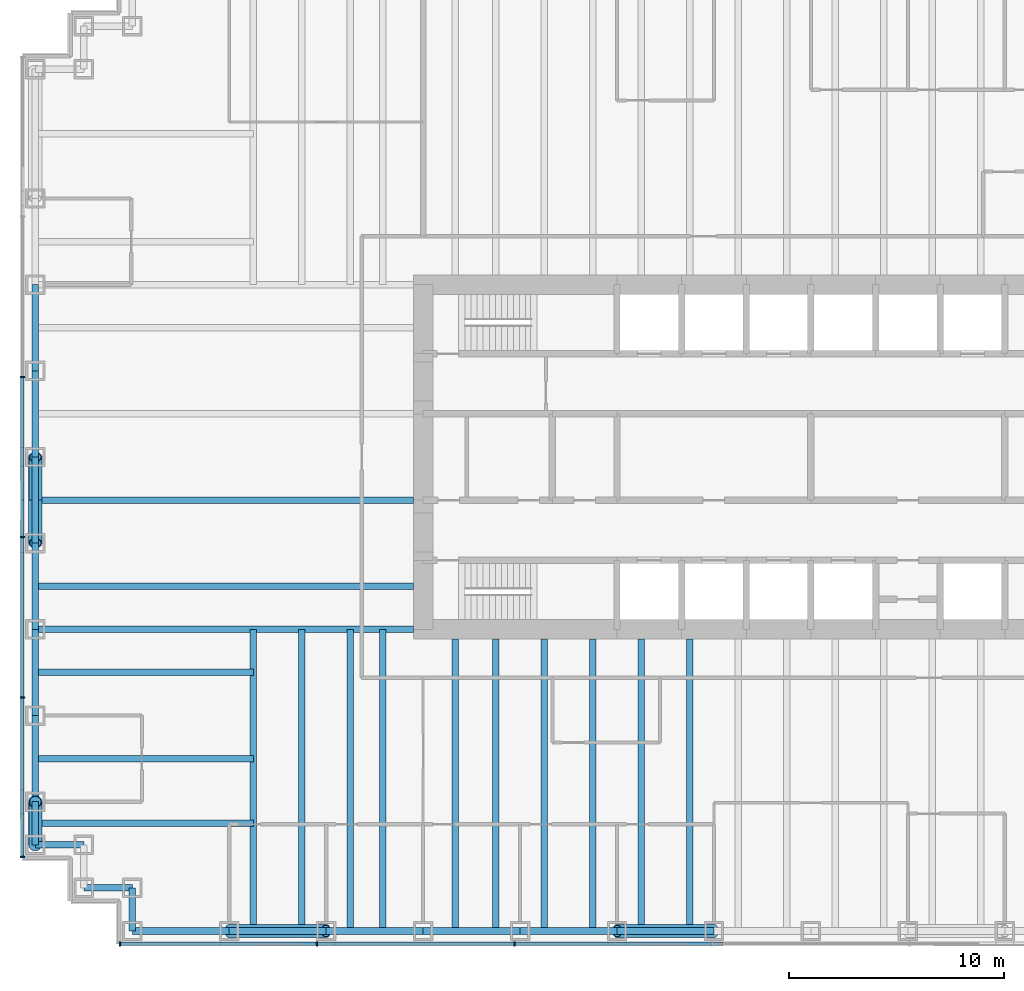
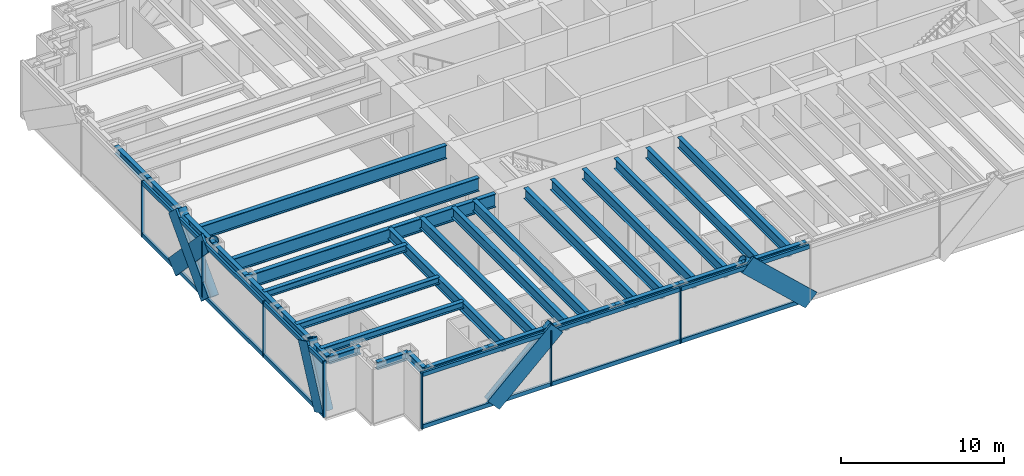
# One storey, part 2 of 17: 32 beams, 29 members, 2 elements without a shape of their own.
"""IFC4 building model written with IfcOpenShell, lengths in metres."""

from ifc_helpers import new_model, si_unit, direction, frame, origin, origin_2d, place, context, subcontext, project, spatial, rectangle, hollow_circle, i_section, extrude, material, material_profile, profile_set, type_object, element, aggregate, save


model = new_model("IFC4")

# Units and contexts
model_context = context("Model", 3, precision=1e-05, world=origin(), true_north=direction((0.0, 1.0)))
body_context = subcontext(model_context, "Body", "Model", "MODEL_VIEW")
ifc_project = project(units=[si_unit("LENGTHUNIT", "METRE"), si_unit("AREAUNIT", "SQUARE_METRE"), si_unit("VOLUMEUNIT", "CUBIC_METRE"), si_unit("PLANEANGLEUNIT", "RADIAN"), si_unit("MASSUNIT", "GRAM", prefix="KILO")], contexts=[model_context])

# Site, building, storey
site_placement = place(None, origin())
site = spatial("IfcSite", under=ifc_project, at=site_placement, CompositionType="ELEMENT")
building_placement = place(site_placement, origin())
building = spatial("IfcBuilding", under=site, at=building_placement, Name="Rheinbord Bourse Tower", CompositionType="ELEMENT")
storey_placement = place(building_placement, frame((0.0, 0.0, 159.300048828125)))
storey = spatial("IfcBuildingStorey", under=building, at=storey_placement, Name="L35", CompositionType="ELEMENT", Elevation=159.300048828125)

# Curtain wall, members
ifc_material_1 = material(Name="Dark glass and black aluminium", Category="aluminium")
curtain_wall_type = type_object("IfcCurtainWallType", Name="CW2 DARK GLASS CURTAIN WALL", PredefinedType="USERDEFINED", material=ifc_material_1)
curtain_wall_1_placement = place(storey_placement, origin())
curtain_wall_1 = element("IfcCurtainWall", 1, at=curtain_wall_1_placement, inside=storey, type_object=curtain_wall_type, Name="Curtain wall CW2 S L35", ObjectType="UNITISED CURTAIN WALL", PredefinedType="USERDEFINED")
ifc_material_2 = material(Name="Black anodised aluminium", Category="aluminium")
ifc_material_profile_1 = material_profile(ifc_material_2, rectangle(XDim=0.159912109375, YDim=1.2099609375, at=origin_2d()), Name="CW2 DIAGONAL MULLION 1210x160")
ifc_profile_set_1 = profile_set([ifc_material_profile_1], Name="Black anodised aluminium")
member_type_1 = type_object("IfcMemberType", Name="CW2 BLACK DIAGONAL MULLION", PredefinedType="USERDEFINED", material=ifc_profile_set_1)
member_1_placement = place(storey_placement, frame((31.5, 1.39990234375, 0.0), z_axis=(-0.73105922506, 0.0, 0.682314010889), x_axis=(0.0, -1.0, 0.0)))
member_1 = element("IfcMember", 2, at=member_1_placement, type_object=member_type_1, Name="CW2 diagonal mullion b", ObjectType="DIAGONAL MULLION", PredefinedType="USERDEFINED", context=body_context, shape_type="SweptSolid", body=[
    extrude(rectangle(XDim=0.159912109375, YDim=1.2099609375, at=origin_2d()), origin(), (0.0, 0.0, 1.0), 6.155517578125),
])
member_2_placement = place(storey_placement, frame((9.0, 1.39990234375, 0.0), z_axis=(0.73105922506, 0.0, 0.682314010889), x_axis=(0.0, 1.0, 0.0)))
member_2 = element("IfcMember", 3, at=member_2_placement, type_object=member_type_1, Name="CW2 diagonal mullion d", ObjectType="DIAGONAL MULLION", PredefinedType="USERDEFINED", context=body_context, shape_type="SweptSolid", body=[
    extrude(rectangle(XDim=0.159912109375, YDim=1.2099609375, at=origin_2d()), origin(), (0.0, 0.0, 1.0), 6.155517578125),
])

curtain_wall_2_placement = place(storey_placement, origin())
curtain_wall_2 = element("IfcCurtainWall", 4, at=curtain_wall_2_placement, inside=storey, type_object=curtain_wall_type, Name="Curtain wall CW2 W L35", ObjectType="UNITISED CURTAIN WALL", PredefinedType="USERDEFINED")
member_3_placement = place(storey_placement, frame((-0.60009765625, 6.0, 0.0), z_axis=(0.0, 0.429937654825, 0.902858578607), x_axis=(-1.0, 0.0, 0.0)))
member_3 = element("IfcMember", 5, at=member_3_placement, type_object=member_type_1, Name="CW2 diagonal mullion a", ObjectType="DIAGONAL MULLION", PredefinedType="USERDEFINED", context=body_context, shape_type="SweptSolid", body=[
    extrude(rectangle(XDim=0.159912109375, YDim=1.2099609375, at=origin_2d()), origin(), (0.0, 0.0, 1.0), 4.65185546875),
])
member_4_placement = place(storey_placement, frame((-0.60009765625, 20.0, 0.0), z_axis=(0.0, 0.689659376744, 0.724133926887), x_axis=(-1.0, 0.0, 0.0)))
member_4 = element("IfcMember", 6, at=member_4_placement, type_object=member_type_1, Name="CW2 diagonal mullion c", ObjectType="DIAGONAL MULLION", PredefinedType="USERDEFINED", context=body_context, shape_type="SweptSolid", body=[
    extrude(rectangle(XDim=0.159912109375, YDim=1.2099609375, at=origin_2d()), origin(), (0.0, 0.0, 1.0), 5.800048828125),
])
member_5_placement = place(storey_placement, frame((-0.60009765625, 24.0, 0.0), z_axis=(0.0, -0.689659376744, 0.724133926887), x_axis=(1.0, 0.0, 0.0)))
member_5 = element("IfcMember", 7, at=member_5_placement, type_object=member_type_1, Name="CW2 diagonal mullion d", ObjectType="DIAGONAL MULLION", PredefinedType="USERDEFINED", context=body_context, shape_type="SweptSolid", body=[
    extrude(rectangle(XDim=0.159912109375, YDim=1.2099609375, at=origin_2d()), origin(), (0.0, 0.0, 1.0), 5.800048828125),
])

# Member
ifc_material_3 = material(Name="Black anodised aluminium", Category="aluminium")
ifc_material_profile_2 = material_profile(ifc_material_3, rectangle(XDim=0.219970703125, YDim=0.070068359375, at=origin_2d()), Name="CW2 MULLION 70x220")
ifc_profile_set_2 = profile_set([ifc_material_profile_2], Name="Black anodised aluminium")
member_type_2 = type_object("IfcMemberType", Name="CW2 BLACK MULLION", PredefinedType="MULLION", material=ifc_profile_set_2)
member_6_placement = place(storey_placement, frame((3.93505859375, 1.39990234375, 0.0), z_axis=(0.0, 0.0, 1.0), x_axis=(0.0, 1.0, 0.0)))
member_6 = element("IfcMember", 8, at=member_6_placement, type_object=member_type_2, Name="CW2 mullion 1", PredefinedType="MULLION", context=body_context, shape_type="SweptSolid", body=[
    extrude(rectangle(XDim=0.219970703125, YDim=0.070068359375, at=origin_2d()), origin(), (0.0, 0.0, 1.0), 4.199951171875),
])

member_7_placement = place(storey_placement, frame((13.071533203125, 1.39990234375, 0.0), z_axis=(0.0, 0.0, 1.0), x_axis=(0.0, 1.0, 0.0)))
member_7 = element("IfcMember", 9, at=member_7_placement, type_object=member_type_2, Name="CW2 mullion 2", PredefinedType="MULLION", context=body_context, shape_type="SweptSolid", body=[
    extrude(rectangle(XDim=0.219970703125, YDim=0.070068359375, at=origin_2d()), origin(), (0.0, 0.0, 1.0), 4.199951171875),
])

member_8_placement = place(storey_placement, frame((22.242919921875, 1.39990234375, 0.0), z_axis=(0.0, 0.0, 1.0), x_axis=(0.0, 1.0, 0.0)))
member_8 = element("IfcMember", 10, at=member_8_placement, type_object=member_type_2, Name="CW2 mullion 3", PredefinedType="MULLION", context=body_context, shape_type="SweptSolid", body=[
    extrude(rectangle(XDim=0.219970703125, YDim=0.070068359375, at=origin_2d()), origin(), (0.0, 0.0, 1.0), 4.199951171875),
])

member_9_placement = place(storey_placement, frame((-0.60009765625, 27.719970703125, 0.0), z_axis=(0.0, 0.0, 1.0), x_axis=(1.0, 0.0, 0.0)))
member_9 = element("IfcMember", 11, at=member_9_placement, type_object=member_type_2, Name="CW2 mullion 3", PredefinedType="MULLION", context=body_context, shape_type="SweptSolid", body=[
    extrude(rectangle(XDim=0.219970703125, YDim=0.070068359375, at=origin_2d()), origin(), (0.0, 0.0, 1.0), 4.199951171875),
])

member_10_placement = place(storey_placement, frame((-0.60009765625, 20.280029296875, 0.0), z_axis=(0.0, 0.0, 1.0), x_axis=(1.0, 0.0, 0.0)))
member_10 = element("IfcMember", 12, at=member_10_placement, type_object=member_type_2, Name="CW2 mullion 4", PredefinedType="MULLION", context=body_context, shape_type="SweptSolid", body=[
    extrude(rectangle(XDim=0.219970703125, YDim=0.070068359375, at=origin_2d()), origin(), (0.0, 0.0, 1.0), 4.199951171875),
])

member_11_placement = place(storey_placement, frame((-0.60009765625, 12.840087890625, 0.0), z_axis=(0.0, 0.0, 1.0), x_axis=(1.0, 0.0, 0.0)))
member_11 = element("IfcMember", 13, at=member_11_placement, type_object=member_type_2, Name="CW2 mullion 5", PredefinedType="MULLION", context=body_context, shape_type="SweptSolid", body=[
    extrude(rectangle(XDim=0.219970703125, YDim=0.070068359375, at=origin_2d()), origin(), (0.0, 0.0, 1.0), 4.199951171875),
])

member_12_placement = place(storey_placement, frame((-0.60009765625, 5.43505859375, 0.0), z_axis=(0.0, 0.0, 1.0), x_axis=(1.0, 0.0, 0.0)))
member_12 = element("IfcMember", 14, at=member_12_placement, type_object=member_type_2, Name="CW2 mullion 6", PredefinedType="MULLION", context=body_context, shape_type="SweptSolid", body=[
    extrude(rectangle(XDim=0.219970703125, YDim=0.070068359375, at=origin_2d()), origin(), (0.0, 0.0, 1.0), 4.199951171875),
])

ifc_material_4 = material(Name="Black anodised aluminium", Category="aluminium")
ifc_material_profile_3 = material_profile(ifc_material_4, rectangle(XDim=0.159912109375, YDim=0.300048828125, at=origin_2d()), Name="CW2 TRANSOM 300x160")
ifc_profile_set_3 = profile_set([ifc_material_profile_3], Name="Black anodised aluminium")
member_type_3 = type_object("IfcMemberType", Name="CW2 BLACK TRANSOM", PredefinedType="USERDEFINED", material=ifc_profile_set_3)
member_13_placement = place(storey_placement, frame((3.969970703125, 1.39990234375, 0.14990234375), z_axis=(1.0, 0.0, 0.0), x_axis=(0.0, 1.0, 0.0)))
member_13 = element("IfcMember", 15, at=member_13_placement, type_object=member_type_3, Name="CW2 transom 1.1", ObjectType="TRANSOM", PredefinedType="USERDEFINED", context=body_context, shape_type="SweptSolid", body=[
    extrude(rectangle(XDim=0.159912109375, YDim=0.300048828125, at=origin_2d()), origin(), (0.0, 0.0, 1.0), 9.06640625),
])

member_14_placement = place(storey_placement, frame((3.969970703125, 1.39990234375, 4.050048828125), z_axis=(1.0, 0.0, 0.0), x_axis=(0.0, 1.0, 0.0)))
member_14 = element("IfcMember", 16, at=member_14_placement, type_object=member_type_3, Name="CW2 transom 1.2", ObjectType="TRANSOM", PredefinedType="USERDEFINED", context=body_context, shape_type="SweptSolid", body=[
    extrude(rectangle(XDim=0.159912109375, YDim=0.300048828125, at=origin_2d()), origin(), (0.0, 0.0, 1.0), 9.06640625),
])

member_15_placement = place(storey_placement, frame((13.1064453125, 1.39990234375, 0.14990234375), z_axis=(1.0, 0.0, 0.0), x_axis=(0.0, 1.0, 0.0)))
member_15 = element("IfcMember", 17, at=member_15_placement, type_object=member_type_3, Name="CW2 transom 2.1", ObjectType="TRANSOM", PredefinedType="USERDEFINED", context=body_context, shape_type="SweptSolid", body=[
    extrude(rectangle(XDim=0.159912109375, YDim=0.300048828125, at=origin_2d()), origin(), (0.0, 0.0, 1.0), 9.101318359375),
])

member_16_placement = place(storey_placement, frame((13.1064453125, 1.39990234375, 4.050048828125), z_axis=(1.0, 0.0, 0.0), x_axis=(0.0, 1.0, 0.0)))
member_16 = element("IfcMember", 18, at=member_16_placement, type_object=member_type_3, Name="CW2 transom 2.2", ObjectType="TRANSOM", PredefinedType="USERDEFINED", context=body_context, shape_type="SweptSolid", body=[
    extrude(rectangle(XDim=0.159912109375, YDim=0.300048828125, at=origin_2d()), origin(), (0.0, 0.0, 1.0), 9.101318359375),
])

member_17_placement = place(storey_placement, frame((22.27783203125, 1.39990234375, 0.14990234375), z_axis=(1.0, 0.0, 0.0), x_axis=(0.0, 1.0, 0.0)))
member_17 = element("IfcMember", 19, at=member_17_placement, type_object=member_type_3, Name="CW2 transom 3.1", ObjectType="TRANSOM", PredefinedType="USERDEFINED", context=body_context, shape_type="SweptSolid", body=[
    extrude(rectangle(XDim=0.159912109375, YDim=0.300048828125, at=origin_2d()), origin(), (0.0, 0.0, 1.0), 9.1015625),
])

member_18_placement = place(storey_placement, frame((22.27783203125, 1.39990234375, 4.050048828125), z_axis=(1.0, 0.0, 0.0), x_axis=(0.0, 1.0, 0.0)))
member_18 = element("IfcMember", 20, at=member_18_placement, type_object=member_type_3, Name="CW2 transom 3.2", ObjectType="TRANSOM", PredefinedType="USERDEFINED", context=body_context, shape_type="SweptSolid", body=[
    extrude(rectangle(XDim=0.159912109375, YDim=0.300048828125, at=origin_2d()), origin(), (0.0, 0.0, 1.0), 9.1015625),
])

aggregate(curtain_wall_1, [member_6, member_7, member_8, member_13, member_14, member_15, member_16, member_17, member_18, member_1, member_2])

member_19_placement = place(storey_placement, frame((-0.60009765625, 27.68505859375, 0.14990234375), z_axis=(0.0, -1.0, 0.0), x_axis=(1.0, 0.0, 0.0)))
member_19 = element("IfcMember", 21, at=member_19_placement, type_object=member_type_3, Name="CW2 transom 3.1", ObjectType="TRANSOM", PredefinedType="USERDEFINED", context=body_context, shape_type="SweptSolid", body=[
    extrude(rectangle(XDim=0.159912109375, YDim=0.300048828125, at=origin_2d()), origin(), (0.0, 0.0, 1.0), 7.3701171875),
])

member_20_placement = place(storey_placement, frame((-0.60009765625, 27.68505859375, 4.050048828125), z_axis=(0.0, -1.0, 0.0), x_axis=(1.0, 0.0, 0.0)))
member_20 = element("IfcMember", 22, at=member_20_placement, type_object=member_type_3, Name="CW2 transom 3.2", ObjectType="TRANSOM", PredefinedType="USERDEFINED", context=body_context, shape_type="SweptSolid", body=[
    extrude(rectangle(XDim=0.159912109375, YDim=0.300048828125, at=origin_2d()), origin(), (0.0, 0.0, 1.0), 7.3701171875),
])

member_21_placement = place(storey_placement, frame((-0.60009765625, 20.2451171875, 0.14990234375), z_axis=(0.0, -1.0, 0.0), x_axis=(1.0, 0.0, 0.0)))
member_21 = element("IfcMember", 23, at=member_21_placement, type_object=member_type_3, Name="CW2 transom 4.1", ObjectType="TRANSOM", PredefinedType="USERDEFINED", context=body_context, shape_type="SweptSolid", body=[
    extrude(rectangle(XDim=0.159912109375, YDim=0.300048828125, at=origin_2d()), origin(), (0.0, 0.0, 1.0), 7.3701171875),
])

member_22_placement = place(storey_placement, frame((-0.60009765625, 20.2451171875, 4.050048828125), z_axis=(0.0, -1.0, 0.0), x_axis=(1.0, 0.0, 0.0)))
member_22 = element("IfcMember", 24, at=member_22_placement, type_object=member_type_3, Name="CW2 transom 4.2", ObjectType="TRANSOM", PredefinedType="USERDEFINED", context=body_context, shape_type="SweptSolid", body=[
    extrude(rectangle(XDim=0.159912109375, YDim=0.300048828125, at=origin_2d()), origin(), (0.0, 0.0, 1.0), 7.3701171875),
])

member_23_placement = place(storey_placement, frame((-0.60009765625, 12.804931640625, 0.14990234375), z_axis=(0.0, -1.0, 0.0), x_axis=(1.0, 0.0, 0.0)))
member_23 = element("IfcMember", 25, at=member_23_placement, type_object=member_type_3, Name="CW2 transom 5.1", ObjectType="TRANSOM", PredefinedType="USERDEFINED", context=body_context, shape_type="SweptSolid", body=[
    extrude(rectangle(XDim=0.159912109375, YDim=0.300048828125, at=origin_2d()), origin(), (0.0, 0.0, 1.0), 7.3349609375),
])

member_24_placement = place(storey_placement, frame((-0.60009765625, 12.804931640625, 4.050048828125), z_axis=(0.0, -1.0, 0.0), x_axis=(1.0, 0.0, 0.0)))
member_24 = element("IfcMember", 26, at=member_24_placement, type_object=member_type_3, Name="CW2 transom 5.2", ObjectType="TRANSOM", PredefinedType="USERDEFINED", context=body_context, shape_type="SweptSolid", body=[
    extrude(rectangle(XDim=0.159912109375, YDim=0.300048828125, at=origin_2d()), origin(), (0.0, 0.0, 1.0), 7.3349609375),
])

aggregate(curtain_wall_2, [member_9, member_10, member_11, member_12, member_19, member_20, member_21, member_22, member_23, member_24, member_3, member_4, member_5])

# Beams
ifc_material_5 = material(Name="Steel S460", Category="steel")
ifc_material_profile_4 = material_profile(ifc_material_5, i_section(OverallWidth=0.302001953125, OverallDepth=1.008056640625, WebThickness=0.02099609375, FlangeThickness=0.0400390625, at=origin_2d()), Name="HEM 1000")
ifc_profile_set_4 = profile_set([ifc_material_profile_4], Name="Steel S460")
beam_type_1 = type_object("IfcBeamType", Name="END BEAM HEM 1000", PredefinedType="BEAM", material=ifc_profile_set_4)
for number, where, z_axis, x_axis, name in (
    (27, (0.0, 18.0, 3.535888671875), (1.0, 0.0, 0.0), (0.0, 1.0, 0.0), "End beam west 18 L36"),
    (28, (0.0, 22.0, 3.535888671875), (1.0, 0.0, 0.0), (0.0, 1.0, 0.0), "End beam west 22 L36"),
):
    element("IfcBeam", number, at=place(storey_placement, frame(where, z_axis=z_axis, x_axis=x_axis)), inside=storey, type_object=beam_type_1, Name=name, PredefinedType="BEAM", context=body_context, shape_type="SweptSolid", body=[
        extrude(i_section(OverallWidth=0.302001953125, OverallDepth=1.008056640625, WebThickness=0.02099609375, FlangeThickness=0.0400390625, at=origin_2d()), origin(), (0.0, 0.0, 1.0), 17.550048828125),
    ])
ifc_material_6 = material(Name="Steel S460", Category="steel")
ifc_material_profile_5 = material_profile(ifc_material_6, i_section(OverallWidth=0.300048828125, OverallDepth=0.800048828125, WebThickness=0.017578125, FlangeThickness=0.032958984375, at=origin_2d()), Name="HEB 800")
ifc_profile_set_5 = profile_set([ifc_material_profile_5], Name="Steel S460")
beam_type_2 = type_object("IfcBeamType", Name="FLOOR BEAM HEB 800", PredefinedType="BEAM", material=ifc_profile_set_5)
for number, where, z_axis, x_axis, name in (
    (29, (10.125, 2.0, 3.639892578125), (0.0, 1.0, 0.0), (-1.0, 0.0, 0.0), "Floor beam S-9a L36"),
    (30, (12.375, 2.0, 3.639892578125), (0.0, 1.0, 0.0), (-1.0, 0.0, 0.0), "Floor beam S-9b L36"),
    (31, (14.625, 2.0, 3.639892578125), (0.0, 1.0, 0.0), (-1.0, 0.0, 0.0), "Floor beam S-13.5a L36"),
    (32, (16.125, 2.0, 3.639892578125), (0.0, 1.0, 0.0), (-1.0, 0.0, 0.0), "Floor beam S-13.5b L36"),
):
    element("IfcBeam", number, at=place(storey_placement, frame(where, z_axis=z_axis, x_axis=x_axis)), inside=storey, type_object=beam_type_2, Name=name, PredefinedType="BEAM", context=body_context, shape_type="SweptSolid", body=[
        extrude(i_section(OverallWidth=0.300048828125, OverallDepth=0.800048828125, WebThickness=0.017578125, FlangeThickness=0.032958984375, at=origin_2d()), origin(), (0.0, 0.0, 1.0), 14.0),
    ])
for number, where, z_axis, x_axis, name in (
    (33, (19.5, 2.0, 3.639892578125), (0.0, 1.0, 0.0), (-1.0, 0.0, 0.0), "Floor beam S-18a L36"),
    (34, (21.375, 2.0, 3.639892578125), (0.0, 1.0, 0.0), (-1.0, 0.0, 0.0), "Floor beam S-18b L36"),
    (35, (23.625, 2.0, 3.639892578125), (0.0, 1.0, 0.0), (-1.0, 0.0, 0.0), "Floor beam S-22.5a L36"),
    (36, (25.875, 2.0, 3.639892578125), (0.0, 1.0, 0.0), (-1.0, 0.0, 0.0), "Floor beam S-22.5b L36"),
    (37, (28.125, 2.0, 3.639892578125), (0.0, 1.0, 0.0), (-1.0, 0.0, 0.0), "Floor beam S-27a L36"),
    (38, (30.375, 2.0, 3.639892578125), (0.0, 1.0, 0.0), (-1.0, 0.0, 0.0), "Floor beam S-27b L36"),
):
    element("IfcBeam", number, at=place(storey_placement, frame(where, z_axis=z_axis, x_axis=x_axis)), inside=storey, type_object=beam_type_2, Name=name, PredefinedType="BEAM", context=body_context, shape_type="SweptSolid", body=[
        extrude(i_section(OverallWidth=0.300048828125, OverallDepth=0.800048828125, WebThickness=0.017578125, FlangeThickness=0.032958984375, at=origin_2d()), origin(), (0.0, 0.0, 1.0), 13.550048828125),
    ])
ifc_material_7 = material(Name="Steel S460", Category="steel")
ifc_material_profile_6 = material_profile(ifc_material_7, i_section(OverallWidth=0.302001953125, OverallDepth=1.008056640625, WebThickness=0.02099609375, FlangeThickness=0.0400390625, at=origin_2d()), Name="HEM 1000")
ifc_profile_set_6 = profile_set([ifc_material_profile_6], Name="Steel S460")
beam_type_3 = type_object("IfcBeamType", Name="GIRDER HEM 1000", PredefinedType="BEAM", material=ifc_profile_set_6)
beam_1_placement = place(storey_placement, frame((0.0, 16.0, 3.535888671875), z_axis=(1.0, 0.0, 0.0), x_axis=(0.0, 1.0, 0.0)))
element("IfcBeam", 39, at=beam_1_placement, inside=storey, type_object=beam_type_3, Name="Girder west 16 L36", PredefinedType="BEAM", context=body_context, shape_type="SweptSolid", body=[
    extrude(i_section(OverallWidth=0.302001953125, OverallDepth=1.008056640625, WebThickness=0.02099609375, FlangeThickness=0.0400390625, at=origin_2d()), origin(), (0.0, 0.0, 1.0), 17.550048828125),
])

# Members
ifc_material_8 = material(Name="Steel S460", Category="steel")
ifc_material_profile_7 = material_profile(ifc_material_8, hollow_circle(Radius=0.304931640625, WallThickness=0.0400390625, at=origin_2d()), Name="CHS 610x40")
ifc_profile_set_7 = profile_set([ifc_material_profile_7], Name="Steel S460")
member_type_4 = type_object("IfcMemberType", Name="MEGABRACE CHS 610x40", PredefinedType="BRACE", material=ifc_profile_set_7)
for number, where, z_axis, x_axis, name in (
    (40, (31.5, 2.0, 0.0), (-0.73105922506, 0.0, 0.682314010889), (0.0, -1.0, 0.0), "Megabrace S face line b L35"),
    (41, (9.0, 2.0, 0.0), (0.73105922506, 0.0, 0.682314010889), (0.0, 1.0, 0.0), "Megabrace S face line d L35"),
):
    element("IfcMember", number, at=place(storey_placement, frame(where, z_axis=z_axis, x_axis=x_axis)), inside=storey, type_object=member_type_4, Name=name, PredefinedType="BRACE", context=body_context, shape_type="SweptSolid", body=[
        extrude(hollow_circle(Radius=0.304931640625, WallThickness=0.0400390625, at=origin_2d()), origin(), (0.0, 0.0, 1.0), 6.155517578125),
    ])
member_25_placement = place(storey_placement, frame((0.0, 6.0, 0.0), z_axis=(0.0, 0.429937654825, 0.902858578607), x_axis=(-1.0, 0.0, 0.0)))
element("IfcMember", 42, at=member_25_placement, inside=storey, type_object=member_type_4, Name="Megabrace W face line a L35", PredefinedType="BRACE", context=body_context, shape_type="SweptSolid", body=[
    extrude(hollow_circle(Radius=0.304931640625, WallThickness=0.0400390625, at=origin_2d()), origin(), (0.0, 0.0, 1.0), 4.65185546875),
])
for number, where, z_axis, x_axis, name in (
    (43, (0.0, 20.0, 0.0), (0.0, 0.689659376744, 0.724133926887), (-1.0, 0.0, 0.0), "Megabrace W face line c L35"),
    (44, (0.0, 24.0, 0.0), (0.0, -0.689659376744, 0.724133926887), (1.0, 0.0, 0.0), "Megabrace W face line d L35"),
):
    element("IfcMember", number, at=place(storey_placement, frame(where, z_axis=z_axis, x_axis=x_axis)), inside=storey, type_object=member_type_4, Name=name, PredefinedType="BRACE", context=body_context, shape_type="SweptSolid", body=[
        extrude(hollow_circle(Radius=0.304931640625, WallThickness=0.0400390625, at=origin_2d()), origin(), (0.0, 0.0, 1.0), 5.800048828125),
    ])

# Beams
ifc_material_9 = material(Name="Steel S460", Category="steel")
ifc_material_profile_8 = material_profile(ifc_material_9, i_section(OverallWidth=0.305908203125, OverallDepth=0.572021484375, WebThickness=0.02099609375, FlangeThickness=0.0400390625, at=origin_2d()), Name="HEM 550")
ifc_profile_set_8 = profile_set([ifc_material_profile_8], Name="Steel S460")
beam_type_4 = type_object("IfcBeamType", Name="SPANDREL HEM 550", PredefinedType="SPANDREL", material=ifc_profile_set_8)
for number, where, z_axis, x_axis, name in (
    (45, (4.5, 2.0, 3.75390625), (1.0, 0.0, 0.0), (0.0, 1.0, 0.0), "Spandrel SW-E-S-9 under L36"),
    (46, (9.0, 2.0, 3.75390625), (1.0, 0.0, 0.0), (0.0, 1.0, 0.0), "Spandrel S-9-S-13.5 under L36"),
    (47, (13.5, 2.0, 3.75390625), (1.0, 0.0, 0.0), (0.0, 1.0, 0.0), "Spandrel S-13.5-S-18 under L36"),
    (48, (18.0, 2.0, 3.75390625), (1.0, 0.0, 0.0), (0.0, 1.0, 0.0), "Spandrel S-18-S-22.5 under L36"),
    (49, (22.5, 2.0, 3.75390625), (1.0, 0.0, 0.0), (0.0, 1.0, 0.0), "Spandrel S-22.5-S-27 under L36"),
    (50, (27.0, 2.0, 3.75390625), (1.0, 0.0, 0.0), (0.0, 1.0, 0.0), "Spandrel S-27-S-31.5 under L36"),
):
    element("IfcBeam", number, at=place(storey_placement, frame(where, z_axis=z_axis, x_axis=x_axis)), inside=storey, type_object=beam_type_4, Name=name, PredefinedType="SPANDREL", context=body_context, shape_type="SweptSolid", body=[
        extrude(i_section(OverallWidth=0.305908203125, OverallDepth=0.572021484375, WebThickness=0.02099609375, FlangeThickness=0.0400390625, at=origin_2d()), origin(), (0.0, 0.0, 1.0), 4.5),
    ])
for number, where, z_axis, x_axis, name in (
    (51, (0.0, 32.0, 3.75390625), (0.0, -1.0, 0.0), (1.0, 0.0, 0.0), "Spandrel W-32-W-28 under L36"),
    (52, (0.0, 28.0, 3.75390625), (0.0, -1.0, 0.0), (1.0, 0.0, 0.0), "Spandrel W-28-W-24 under L36"),
    (53, (0.0, 24.0, 3.75390625), (0.0, -1.0, 0.0), (1.0, 0.0, 0.0), "Spandrel W-24-W-20 under L36"),
    (54, (0.0, 20.0, 3.75390625), (0.0, -1.0, 0.0), (1.0, 0.0, 0.0), "Spandrel W-20-W-16 under L36"),
    (55, (0.0, 16.0, 3.75390625), (0.0, -1.0, 0.0), (1.0, 0.0, 0.0), "Spandrel W-16-W-12 under L36"),
    (56, (0.0, 12.0, 3.75390625), (0.0, -1.0, 0.0), (1.0, 0.0, 0.0), "Spandrel W-12-W-8 under L36"),
):
    element("IfcBeam", number, at=place(storey_placement, frame(where, z_axis=z_axis, x_axis=x_axis)), inside=storey, type_object=beam_type_4, Name=name, PredefinedType="SPANDREL", context=body_context, shape_type="SweptSolid", body=[
        extrude(i_section(OverallWidth=0.305908203125, OverallDepth=0.572021484375, WebThickness=0.02099609375, FlangeThickness=0.0400390625, at=origin_2d()), origin(), (0.0, 0.0, 1.0), 4.0),
    ])
beam_2_placement = place(storey_placement, frame((0.0, 8.0, 3.75390625), z_axis=(0.0, -1.0, 0.0), x_axis=(1.0, 0.0, 0.0)))
element("IfcBeam", 57, at=beam_2_placement, inside=storey, type_object=beam_type_4, Name="Spandrel W-8-SW-A under L36", PredefinedType="SPANDREL", context=body_context, shape_type="SweptSolid", body=[
    extrude(i_section(OverallWidth=0.305908203125, OverallDepth=0.572021484375, WebThickness=0.02099609375, FlangeThickness=0.0400390625, at=origin_2d()), origin(), (0.0, 0.0, 1.0), 2.0),
])
for number, where, z_axis, x_axis, name in (
    (58, (0.0, 6.0, 3.75390625), (1.0, 0.0, 0.0), (0.0, 1.0, 0.0), "Spandrel SW-A-SW-B under L36"),
    (59, (2.25, 4.0, 3.75390625), (1.0, 0.0, 0.0), (0.0, 1.0, 0.0), "Spandrel SW-C-SW-D under L36"),
):
    element("IfcBeam", number, at=place(storey_placement, frame(where, z_axis=z_axis, x_axis=x_axis)), inside=storey, type_object=beam_type_4, Name=name, PredefinedType="SPANDREL", context=body_context, shape_type="SweptSolid", body=[
        extrude(i_section(OverallWidth=0.305908203125, OverallDepth=0.572021484375, WebThickness=0.02099609375, FlangeThickness=0.0400390625, at=origin_2d()), origin(), (0.0, 0.0, 1.0), 2.25),
    ])
beam_3_placement = place(storey_placement, frame((4.5, 4.0, 3.75390625), z_axis=(0.0, -1.0, 0.0), x_axis=(1.0, 0.0, 0.0)))
element("IfcBeam", 60, at=beam_3_placement, inside=storey, type_object=beam_type_4, Name="Spandrel SW-D-SW-E under L36", PredefinedType="SPANDREL", context=body_context, shape_type="SweptSolid", body=[
    extrude(i_section(OverallWidth=0.305908203125, OverallDepth=0.572021484375, WebThickness=0.02099609375, FlangeThickness=0.0400390625, at=origin_2d()), origin(), (0.0, 0.0, 1.0), 2.0),
])
ifc_material_10 = material(Name="Steel S460", Category="steel")
ifc_material_profile_9 = material_profile(ifc_material_10, i_section(OverallWidth=0.300048828125, OverallDepth=0.5, WebThickness=0.014404296875, FlangeThickness=0.028076171875, at=origin_2d()), Name="HEB 500")
ifc_profile_set_9 = profile_set([ifc_material_profile_9], Name="Steel S460")
beam_type_5 = type_object("IfcBeamType", Name="TIE BEAM HEB 500", PredefinedType="JOIST", material=ifc_profile_set_9)
for number, where, z_axis, x_axis, name in (
    (61, (0.0, 7.0, 3.7900390625), (1.0, 0.0, 0.0), (0.0, 1.0, 0.0), "Tie west 7 L36"),
    (62, (0.0, 10.0, 3.7900390625), (1.0, 0.0, 0.0), (0.0, 1.0, 0.0), "Tie west 10 L36"),
    (63, (0.0, 14.0, 3.7900390625), (1.0, 0.0, 0.0), (0.0, 1.0, 0.0), "Tie west 14 L36"),
):
    element("IfcBeam", number, at=place(storey_placement, frame(where, z_axis=z_axis, x_axis=x_axis)), inside=storey, type_object=beam_type_5, Name=name, PredefinedType="JOIST", context=body_context, shape_type="SweptSolid", body=[
        extrude(i_section(OverallWidth=0.300048828125, OverallDepth=0.5, WebThickness=0.014404296875, FlangeThickness=0.028076171875, at=origin_2d()), origin(), (0.0, 0.0, 1.0), 10.125),
    ])

save(model, "model.ifc")
